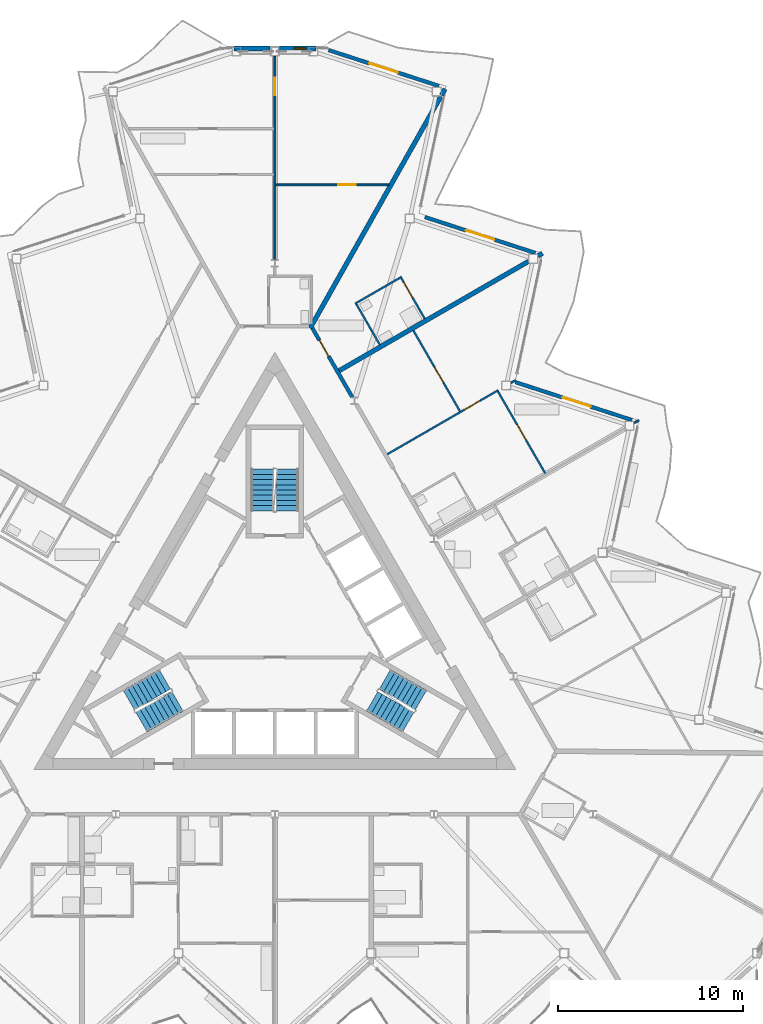
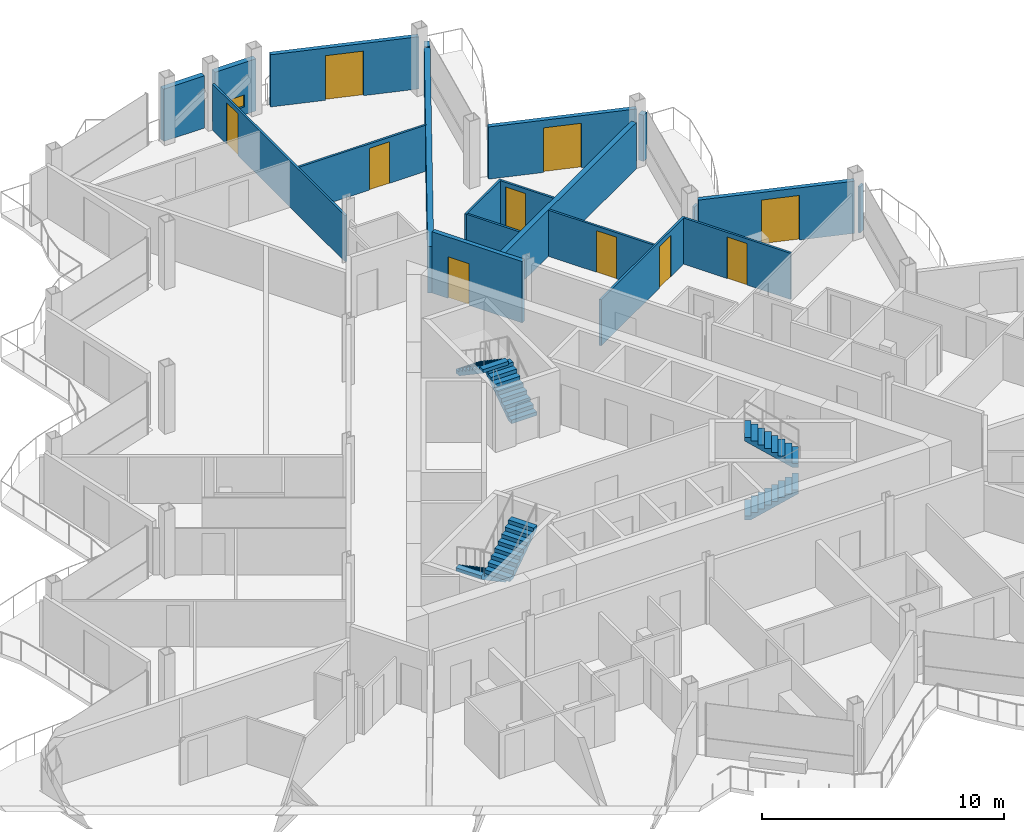
# One storey, part 18 of 26: 20 walls, 10 doors, 6 stair flights, 1 window, 11 openings, 3 elements without a shape of their own.
"""IFC4 building model written with IfcOpenShell, lengths in metres."""

from ifc_helpers import new_model, si_unit, direction, frame, frame_2d, origin, place, context, subcontext, project, spatial, polyline, rectangle, outline, extrude, material, layer, layer_set, type_object, element, fill, aggregate, save


model = new_model("IFC4")

# Units and contexts
model_context = context("Model", 3, precision=1e-05, world=origin(), true_north=direction((0.0, 1.0)))
body_context = subcontext(model_context, "Body", "Model", "MODEL_VIEW")
ifc_project = project(units=[si_unit("LENGTHUNIT", "METRE"), si_unit("AREAUNIT", "SQUARE_METRE"), si_unit("VOLUMEUNIT", "CUBIC_METRE"), si_unit("PLANEANGLEUNIT", "RADIAN"), si_unit("MASSUNIT", "GRAM", prefix="KILO")], contexts=[model_context])

# Site, building, storey
site_placement = place(None, origin())
site = spatial("IfcSite", under=ifc_project, at=site_placement, CompositionType="ELEMENT")
building_placement = place(site_placement, origin())
building = spatial("IfcBuilding", under=site, at=building_placement, Name="Cormorant Prow Tower", CompositionType="ELEMENT")
storey_placement = place(building_placement, frame((0.0, 0.0, 374.60009765625)))
storey = spatial("IfcBuildingStorey", under=building, at=storey_placement, Name="L84", CompositionType="ELEMENT", Elevation=374.60009765625)

# Wall, opening, door
ifc_material_1 = material(Name="Gypsum board corridor wall")
ifc_layer_1 = layer(ifc_material_1, 0.199951171875)
ifc_layer_set_1 = layer_set([ifc_layer_1], Name="Gypsum board corridor wall")
wall_type_1 = type_object("IfcWallType", Name="Corridor wall 200", PredefinedType="PARTITIONING", material=ifc_layer_set_1)
wall_1_placement = place(storey_placement, frame((2.025390625, 16.302978515625, 0.0), z_axis=(0.0, 0.0, 1.0), x_axis=(0.500004215162, -0.866022970146, 0.0)))
wall_1 = element("IfcWall", 1, at=wall_1_placement, inside=storey, type_object=wall_type_1, Name="Corridor wall", PredefinedType="PARTITIONING", context=body_context, shape_type="SweptSolid", body=[
    extrude(rectangle(XDim=4.30029296875, YDim=0.199951171875, at=frame_2d((2.150146484375, 0.0))), origin(), (0.0, 0.0, 1.0), 3.099853515625),
])
opening_1_placement = place(wall_1_placement, frame((0.75, 0.0, 0.0)))
opening_1 = element("IfcOpeningElement", 2, at=opening_1_placement, cuts=wall_1, Name="Opening L84-F35", PredefinedType="OPENING", context=body_context, shape_type="SweptSolid", body=[
    extrude(rectangle(XDim=1.0, YDim=2.10009765625, at=frame_2d((0.5, 1.050048828125))), frame((0.0, 0.10986328125, 0.0), z_axis=(0.0, -1.0, 0.0), x_axis=(1.0, 0.0, 0.0)), (0.0, 0.0, 1.0), 0.219970703125),
])
ifc_material_2 = material(Name="Timber door leaf", Category="wood")
door_type_1 = type_object("IfcDoorType", Name="Flat or room entrance door 1000x2100", OperationType="NOTDEFINED", PredefinedType="DOOR", material=ifc_material_2)
door_1_placement = place(opening_1_placement, origin())
door_1 = element("IfcDoor", 3, at=door_1_placement, inside=storey, type_object=door_type_1, Name="Studio living, kitchen and sleeping room door", OperationType="SINGLE_SWING_LEFT", OverallHeight=2.10009765625, OverallWidth=1.0, PredefinedType="DOOR", context=body_context, shape_type="SweptSolid", body=[
    extrude(rectangle(XDim=1.0, YDim=2.10009765625, at=frame_2d((0.5, 1.050048828125))), frame((0.0, 0.02490234375, 0.0), z_axis=(0.0, -1.0, 0.0), x_axis=(1.0, 0.0, 0.0)), (0.0, 0.0, 1.0), 0.050048828125),
])
fill(opening_1, door_1)

ifc_material_3 = material(Name="Gypsum board partition")
ifc_layer_2 = layer(ifc_material_3, 0.10009765625)
ifc_layer_set_2 = layer_set([ifc_layer_2], Name="Gypsum board partition")
wall_type_2 = type_object("IfcWallType", Name="Internal partition 100", PredefinedType="PARTITIONING", material=ifc_layer_set_2)
wall_2_placement = place(storey_placement, frame((0.0, 20.008056640625, 0.0), z_axis=(0.0, 0.0, 1.0), x_axis=(0.0, 1.0, 0.0)))
wall_2 = element("IfcWall", 4, at=wall_2_placement, inside=storey, type_object=wall_type_2, Name="Internal partition", PredefinedType="PARTITIONING", context=body_context, shape_type="SweptSolid", body=[
    extrude(rectangle(XDim=10.951416015625, YDim=0.10009765625, at=frame_2d((5.4755859375, 0.0))), origin(), (0.0, 0.0, 1.0), 2.330078125),
])
opening_2_placement = place(wall_2_placement, frame((8.851318359375, 0.0, 0.0)))
opening_2 = element("IfcOpeningElement", 5, at=opening_2_placement, cuts=wall_2, Name="Opening L84-F41", PredefinedType="OPENING", context=body_context, shape_type="SweptSolid", body=[
    extrude(rectangle(XDim=0.949951171875, YDim=2.10009765625, at=frame_2d((0.47509765625, 1.050048828125))), frame((0.0, 0.06005859375, 0.0), z_axis=(0.0, -1.0, 0.0), x_axis=(1.0, 0.0, 0.0)), (0.0, 0.0, 1.0), 0.1201171875),
])
ifc_material_4 = material(Name="Timber door leaf", Category="wood")
door_type_2 = type_object("IfcDoorType", Name="Bathroom door 950x2100", OperationType="NOTDEFINED", PredefinedType="DOOR", material=ifc_material_4)
door_2_placement = place(opening_2_placement, origin())
door_2 = element("IfcDoor", 6, at=door_2_placement, inside=storey, type_object=door_type_2, Name="Dining room door", OperationType="SINGLE_SWING_LEFT", OverallHeight=2.10009765625, OverallWidth=0.949951171875, PredefinedType="DOOR", context=body_context, shape_type="SweptSolid", body=[
    extrude(rectangle(XDim=0.949951171875, YDim=2.10009765625, at=frame_2d((0.47509765625, 1.050048828125))), frame((0.0, 0.02490234375, 0.0), z_axis=(0.0, -1.0, 0.0), x_axis=(1.0, 0.0, 0.0)), (0.0, 0.0, 1.0), 0.050048828125),
])
fill(opening_2, door_2)

wall_3_placement = place(storey_placement, frame((6.065185546875, 9.506103515625, 0.0), z_axis=(0.0, 0.0, 1.0), x_axis=(0.866029020252, 0.499993736042, 0.0)))
wall_3 = element("IfcWall", 7, at=wall_3_placement, inside=storey, type_object=wall_type_2, Name="Internal partition", PredefinedType="PARTITIONING", context=body_context, shape_type="SweptSolid", body=[
    extrude(rectangle(XDim=6.9072265625, YDim=0.10009765625, at=frame_2d((3.45361328125, 0.0))), origin(), (0.0, 0.0, 1.0), 2.330078125),
])
opening_3_placement = place(wall_3_placement, frame((4.7978515625, 0.0, 0.0)))
opening_3 = element("IfcOpeningElement", 8, at=opening_3_placement, cuts=wall_3, Name="Opening L84-F32", PredefinedType="OPENING", context=body_context, shape_type="SweptSolid", body=[
    extrude(rectangle(XDim=0.949951171875, YDim=2.10009765625, at=frame_2d((0.47509765625, 1.050048828125))), frame((0.0, 0.06005859375, 0.0), z_axis=(0.0, -1.0, 0.0), x_axis=(1.0, 0.0, 0.0)), (0.0, 0.0, 1.0), 0.1201171875),
])
door_3_placement = place(opening_3_placement, origin())
door_3 = element("IfcDoor", 9, at=door_3_placement, inside=storey, type_object=door_type_2, Name="Living room door", OperationType="SINGLE_SWING_LEFT", OverallHeight=2.10009765625, OverallWidth=0.949951171875, PredefinedType="DOOR", context=body_context, shape_type="SweptSolid", body=[
    extrude(rectangle(XDim=0.949951171875, YDim=2.10009765625, at=frame_2d((0.47509765625, 1.050048828125))), frame((0.0, 0.02490234375, 0.0), z_axis=(0.0, -1.0, 0.0), x_axis=(1.0, 0.0, 0.0)), (0.0, 0.0, 1.0), 0.050048828125),
])
fill(opening_3, door_3)

wall_4_placement = place(storey_placement, frame((0.050048828125, 24.03125, 0.0), z_axis=(0.0, 0.0, 1.0), x_axis=(1.0, 0.0, 0.0)))
wall_4 = element("IfcWall", 10, at=wall_4_placement, inside=storey, type_object=wall_type_2, Name="Internal partition", PredefinedType="PARTITIONING", context=body_context, shape_type="SweptSolid", body=[
    extrude(rectangle(XDim=6.085693359375, YDim=0.10009765625, at=frame_2d((3.04296875, 0.0))), origin(), (0.0, 0.0, 1.0), 2.330078125),
])
opening_4_placement = place(wall_4_placement, frame((3.3740234375, 0.0, 0.0)))
opening_4 = element("IfcOpeningElement", 11, at=opening_4_placement, cuts=wall_4, Name="Opening L84-F42", PredefinedType="OPENING", context=body_context, shape_type="SweptSolid", body=[
    extrude(rectangle(XDim=0.949951171875, YDim=2.10009765625, at=frame_2d((0.47509765625, 1.050048828125))), frame((0.0, 0.06005859375, 0.0), z_axis=(0.0, -1.0, 0.0), x_axis=(1.0, 0.0, 0.0)), (0.0, 0.0, 1.0), 0.1201171875),
])
door_4_placement = place(opening_4_placement, origin())
door_4 = element("IfcDoor", 12, at=door_4_placement, inside=storey, type_object=door_type_2, Name="Principal bedroom door", OperationType="SINGLE_SWING_LEFT", OverallHeight=2.10009765625, OverallWidth=0.949951171875, PredefinedType="DOOR", context=body_context, shape_type="SweptSolid", body=[
    extrude(rectangle(XDim=0.949951171875, YDim=2.10009765625, at=frame_2d((0.47509765625, 1.050048828125))), frame((0.0, 0.02490234375, 0.0), z_axis=(0.0, -1.0, 0.0), x_axis=(1.0, 0.0, 0.0)), (0.0, 0.0, 1.0), 0.050048828125),
])
fill(opening_4, door_4)

wall_5_placement = place(storey_placement, frame((7.4677734375, 16.176025390625, 0.0), z_axis=(0.0, 0.0, 1.0), x_axis=(0.499990214365, -0.86603105345, 0.0)))
wall_5 = element("IfcWall", 13, at=wall_5_placement, inside=storey, type_object=wall_type_2, Name="Internal partition", PredefinedType="PARTITIONING", context=body_context, shape_type="SweptSolid", body=[
    extrude(rectangle(XDim=5.02490234375, YDim=0.10009765625, at=frame_2d((2.512451171875, 0.0))), origin(), (0.0, 0.0, 1.0), 2.330078125),
])
opening_5_placement = place(wall_5_placement, frame((2.29296875, 0.0, 0.0)))
opening_5 = element("IfcOpeningElement", 14, at=opening_5_placement, cuts=wall_5, Name="Opening L84-F33", PredefinedType="OPENING", context=body_context, shape_type="SweptSolid", body=[
    extrude(rectangle(XDim=0.949951171875, YDim=2.10009765625, at=frame_2d((0.47509765625, 1.050048828125))), frame((0.0, 0.06005859375, 0.0), z_axis=(0.0, -1.0, 0.0), x_axis=(1.0, 0.0, 0.0)), (0.0, 0.0, 1.0), 0.1201171875),
])
door_5_placement = place(opening_5_placement, origin())
door_5 = element("IfcDoor", 15, at=door_5_placement, inside=storey, type_object=door_type_2, Name="Bedroom door", OperationType="SINGLE_SWING_RIGHT", OverallHeight=2.10009765625, OverallWidth=0.949951171875, PredefinedType="DOOR", context=body_context, shape_type="SweptSolid", body=[
    extrude(rectangle(XDim=0.949951171875, YDim=2.10009765625, at=frame_2d((0.47509765625, 1.050048828125))), frame((0.0, 0.02490234375, 0.0), z_axis=(0.0, -1.0, 0.0), x_axis=(1.0, 0.0, 0.0)), (0.0, 0.0, 1.0), 0.050048828125),
])
fill(opening_5, door_5)

wall_6_placement = place(storey_placement, frame((12.02880859375, 12.8916015625, 0.0), z_axis=(0.0, 0.0, 1.0), x_axis=(0.500005610874, -0.86602216432, 0.0)))
wall_6 = element("IfcWall", 16, at=wall_6_placement, inside=storey, type_object=wall_type_2, Name="Internal partition", PredefinedType="PARTITIONING", context=body_context, shape_type="SweptSolid", body=[
    extrude(rectangle(XDim=5.10009765625, YDim=0.10009765625, at=frame_2d((2.550048828125, 0.0))), origin(), (0.0, 0.0, 1.0), 2.330078125),
])
opening_6_placement = place(wall_6_placement, frame((2.074951171875, 0.0, 0.0)))
opening_6 = element("IfcOpeningElement", 17, at=opening_6_placement, cuts=wall_6, Name="Opening L84-F29", PredefinedType="OPENING", context=body_context, shape_type="SweptSolid", body=[
    extrude(rectangle(XDim=0.949951171875, YDim=2.10009765625, at=frame_2d((0.47509765625, 1.050048828125))), frame((0.0, 0.06005859375, 0.0), z_axis=(0.0, -1.0, 0.0), x_axis=(1.0, 0.0, 0.0)), (0.0, 0.0, 1.0), 0.1201171875),
])
door_6_placement = place(opening_6_placement, origin())
door_6 = element("IfcDoor", 18, at=door_6_placement, inside=storey, type_object=door_type_2, Name="Living room door", OperationType="SINGLE_SWING_LEFT", OverallHeight=2.10009765625, OverallWidth=0.949951171875, PredefinedType="DOOR", context=body_context, shape_type="SweptSolid", body=[
    extrude(rectangle(XDim=0.949951171875, YDim=2.10009765625, at=frame_2d((0.47509765625, 1.050048828125))), frame((0.0, 0.02490234375, 0.0), z_axis=(0.0, -1.0, 0.0), x_axis=(1.0, 0.0, 0.0)), (0.0, 0.0, 1.0), 0.050048828125),
])
fill(opening_6, door_6)

# Wall
wall_7_placement = place(storey_placement, frame((4.323486328125, 17.622802734375, 0.0), z_axis=(0.0, 0.0, 1.0), x_axis=(0.866032775405, 0.499987231761, 0.0)))
element("IfcWall", 19, at=wall_7_placement, inside=storey, type_object=wall_type_2, Name="Internal partition", PredefinedType="PARTITIONING", context=body_context, shape_type="SweptSolid", body=[
    extrude(rectangle(XDim=2.89990234375, YDim=0.10009765625, at=frame_2d((1.449951171875, 0.0))), origin(), (0.0, 0.0, 1.0), 2.330078125),
])

# Wall, opening, door
wall_8_placement = place(storey_placement, frame((6.816650390625, 19.00439453125, 0.0), z_axis=(0.0, 0.0, 1.0), x_axis=(0.499976333282, -0.866039067339, 0.0)))
wall_8 = element("IfcWall", 20, at=wall_8_placement, inside=storey, type_object=wall_type_2, Name="Internal partition", PredefinedType="PARTITIONING", context=body_context, shape_type="SweptSolid", body=[
    extrude(rectangle(XDim=2.52490234375, YDim=0.10009765625, at=frame_2d((1.262451171875, 0.0))), origin(), (0.0, 0.0, 1.0), 2.330078125),
])
opening_7_placement = place(wall_8_placement, frame((0.25, 0.0, 0.0)))
opening_7 = element("IfcOpeningElement", 21, at=opening_7_placement, cuts=wall_8, Name="Opening L84-F36", PredefinedType="OPENING", context=body_context, shape_type="SweptSolid", body=[
    extrude(rectangle(XDim=0.949951171875, YDim=2.10009765625, at=frame_2d((0.47509765625, 1.050048828125))), frame((0.0, 0.06005859375, 0.0), z_axis=(0.0, -1.0, 0.0), x_axis=(1.0, 0.0, 0.0)), (0.0, 0.0, 1.0), 0.1201171875),
])
door_7_placement = place(opening_7_placement, origin())
door_7 = element("IfcDoor", 22, at=door_7_placement, inside=storey, type_object=door_type_2, Name="Studio living, kitchen and sleeping room door", OperationType="SINGLE_SWING_LEFT", OverallHeight=2.10009765625, OverallWidth=0.949951171875, PredefinedType="DOOR", context=body_context, shape_type="SweptSolid", body=[
    extrude(rectangle(XDim=0.949951171875, YDim=2.10009765625, at=frame_2d((0.47509765625, 1.050048828125))), frame((0.0, 0.02490234375, 0.0), z_axis=(0.0, -1.0, 0.0), x_axis=(1.0, 0.0, 0.0)), (0.0, 0.0, 1.0), 0.050048828125),
])
fill(opening_7, door_7)

# Walls
wall_9_placement = place(storey_placement, frame((4.3916015625, 17.6044921875, 0.0), z_axis=(0.0, 0.0, 1.0), x_axis=(0.500048846702, -0.865997200291, 0.0)))
element("IfcWall", 23, at=wall_9_placement, inside=storey, type_object=wall_type_2, Name="Internal partition", PredefinedType="PARTITIONING", context=body_context, shape_type="SweptSolid", body=[
    extrude(rectangle(XDim=2.525146484375, YDim=0.10009765625, at=frame_2d((1.2626953125, 0.0))), origin(), (0.0, 0.0, 1.0), 2.330078125),
])
wall_10_placement = place(storey_placement, frame((12.73388671875, 13.356201171875, 0.0), z_axis=(0.0, 0.0, 1.0), x_axis=(0.865687176694, 0.50058536945, 0.0)))
element("IfcWall", 24, at=wall_10_placement, inside=storey, type_object=wall_type_2, Name="Internal partition", PredefinedType="PARTITIONING", context=body_context, shape_type="SweptSolid", body=[
    extrude(rectangle(XDim=0.277587890625, YDim=0.10009765625, at=frame_2d((0.138671875, 0.0))), origin(), (0.0, 0.0, 1.0), 2.330078125),
])
wall_11_placement = place(storey_placement, frame((19.388671875, 11.194091796875, 0.0), z_axis=(0.0, 0.0, 1.0), x_axis=(0.866068339032, 0.499925626596, 0.0)))
element("IfcWall", 25, at=wall_11_placement, inside=storey, type_object=wall_type_2, Name="Internal partition", PredefinedType="PARTITIONING", context=body_context, shape_type="SweptSolid", body=[
    extrude(rectangle(XDim=0.27734375, YDim=0.10009765625, at=frame_2d((0.138671875, 0.0))), origin(), (0.0, 0.0, 1.0), 2.330078125),
])
ifc_material_5 = material(Name="Acoustic gypsum party wall")
ifc_layer_3 = layer(ifc_material_5, 0.25)
ifc_layer_set_3 = layer_set([ifc_layer_3], Name="Acoustic gypsum party wall")
wall_type_3 = type_object("IfcWallType", Name="Suite party wall 250", PredefinedType="PARTITIONING", material=ifc_layer_set_3)
wall_12_placement = place(storey_placement, frame((1.901611328125, 16.302001953125, 0.0), z_axis=(0.0, 0.0, 1.0), x_axis=(0.491233789602, 0.871027763021, 0.0)))
element("IfcWall", 26, at=wall_12_placement, inside=storey, type_object=wall_type_3, Name="Suite party wall", PredefinedType="PARTITIONING", context=body_context, shape_type="SweptSolid", body=[
    extrude(rectangle(XDim=14.34521484375, YDim=0.25, at=frame_2d((7.172607421875, 0.0))), origin(), (0.0, 0.0, 1.0), 2.330078125),
])
wall_13_placement = place(storey_placement, frame((3.465087890625, 14.009521484375, 0.0), z_axis=(0.0, 0.0, 1.0), x_axis=(0.866032376801, 0.499987922186, 0.0)))
element("IfcWall", 27, at=wall_13_placement, inside=storey, type_object=wall_type_3, Name="Suite party wall", PredefinedType="PARTITIONING", context=body_context, shape_type="SweptSolid", body=[
    extrude(rectangle(XDim=11.781982421875, YDim=0.25, at=frame_2d((5.89111328125, 0.0))), origin(), (0.0, 0.0, 1.0), 2.330078125),
])
wall_14_placement = place(storey_placement, frame((8.988525390625, 28.8681640625, 0.0), z_axis=(0.0, 0.0, 1.0), x_axis=(0.491394522511, 0.870937094885, 0.0)))
element("IfcWall", 28, at=wall_14_placement, inside=storey, type_object=wall_type_3, Name="Suite party wall", PredefinedType="PARTITIONING", context=body_context, shape_type="SweptSolid", body=[
    extrude(rectangle(XDim=0.388427734375, YDim=0.25, at=frame_2d((0.1943359375, 0.0))), origin(), (0.0, 0.0, 1.0), 2.330078125),
])
wall_15_placement = place(storey_placement, frame((14.188720703125, 20.20068359375, 0.0), z_axis=(0.0, 0.0, 1.0), x_axis=(0.865687176694, 0.50058536945, 0.0)))
element("IfcWall", 29, at=wall_15_placement, inside=storey, type_object=wall_type_3, Name="Suite party wall", PredefinedType="PARTITIONING", context=body_context, shape_type="SweptSolid", body=[
    extrude(rectangle(XDim=0.277587890625, YDim=0.25, at=frame_2d((0.138671875, 0.0))), origin(), (0.0, 0.0, 1.0), 2.330078125),
])

# Wall, opening, window
ifc_material_6 = material(Name="Terracotta", Category="masonry")
ifc_layer_4 = layer(ifc_material_6, 0.25)
ifc_layer_set_4 = layer_set([ifc_layer_4], Name="Terracotta")
wall_type_4 = type_object("IfcWallType", Name="Terracotta bay wall 250", PredefinedType="SOLIDWALL", material=ifc_layer_set_4)
wall_16_placement = place(storey_placement, frame((2.208251953125, 31.38330078125, 0.0), z_axis=(0.0, 0.0, 1.0), x_axis=(-1.0, 0.0, 0.0)))
wall_16 = element("IfcWall", 30, at=wall_16_placement, inside=storey, type_object=wall_type_4, Name="Terracotta bay wall N00", PredefinedType="SOLIDWALL", context=body_context, shape_type="SweptSolid", body=[
    extrude(rectangle(XDim=1.958251953125, YDim=0.25, at=frame_2d((0.97900390625, 0.0))), origin(), (0.0, 0.0, 1.0), 2.6337890625),
])
opening_8_placement = place(wall_16_placement, frame((0.550048828125, 0.0, 0.39990234375)))
opening_8 = element("IfcOpeningElement", 31, at=opening_8_placement, cuts=wall_16, Name="Opening WN10", PredefinedType="OPENING", context=body_context, shape_type="SweptSolid", body=[
    extrude(rectangle(XDim=0.60009765625, YDim=0.60009765625, at=frame_2d((0.300048828125, 0.300048828125))), frame((0.0, 0.135009765625, 0.0), z_axis=(0.0, -1.0, 0.0), x_axis=(1.0, 0.0, 0.0)), (0.0, 0.0, 1.0), 0.27001953125),
])
ifc_material_7 = material(Name="Aluminium 6063-T6", Category="aluminium")
window_type = type_object("IfcWindowType", Name="Corner bay window 600x600", PartitioningType="SINGLE_PANEL", PredefinedType="WINDOW", material=ifc_material_7)
window_placement = place(opening_8_placement, origin())
window = element("IfcWindow", 32, at=window_placement, inside=storey, type_object=window_type, Name="Corner bay window N00", OverallHeight=0.60009765625, OverallWidth=0.60009765625, PartitioningType="SINGLE_PANEL", PredefinedType="WINDOW", context=body_context, shape_type="SweptSolid", body=[
    extrude(rectangle(XDim=0.60009765625, YDim=0.60009765625, at=frame_2d((0.300048828125, 0.300048828125))), frame((0.0, 0.030029296875, 0.0), z_axis=(0.0, -1.0, 0.0), x_axis=(1.0, 0.0, 0.0)), (0.0, 0.0, 1.0), 0.06005859375),
])
fill(opening_8, window)

# Wall
wall_17_placement = place(storey_placement, frame((-0.25, 31.38330078125, 0.0), z_axis=(0.0, 0.0, 1.0), x_axis=(-1.0, 0.0, 0.0)))
element("IfcWall", 33, at=wall_17_placement, inside=storey, type_object=wall_type_4, Name="Terracotta bay wall N01", PredefinedType="SOLIDWALL", context=body_context, shape_type="SweptSolid", body=[
    extrude(rectangle(XDim=1.958251953125, YDim=0.25, at=frame_2d((0.97900390625, 0.0))), origin(), (0.0, 0.0, 1.0), 2.6337890625),
])

# Wall, opening, door
ifc_material_8 = material(Name="Terracotta", Category="masonry")
ifc_layer_5 = layer(ifc_material_8, 0.199951171875)
ifc_layer_set_5 = layer_set([ifc_layer_5], Name="Terracotta")
wall_type_5 = type_object("IfcWallType", Name="Terracotta jamb wall 200", PredefinedType="SOLIDWALL", material=ifc_layer_set_5)
wall_18_placement = place(storey_placement, frame((19.25, 11.350830078125, 0.0), z_axis=(0.0, 0.0, 1.0), x_axis=(-0.951060668786, 0.309004214029, 0.0)))
wall_18 = element("IfcWall", 34, at=wall_18_placement, inside=storey, type_object=wall_type_5, Name="Terracotta jamb wall ENE05", PredefinedType="SOLIDWALL", context=body_context, shape_type="SweptSolid", body=[
    extrude(rectangle(XDim=6.609130859375, YDim=0.199951171875, at=frame_2d((3.3046875, 0.0))), origin(), (0.0, 0.0, 1.0), 2.6337890625),
])
opening_9_placement = place(wall_18_placement, frame((2.332763671875, 0.0, 0.0)))
opening_9 = element("IfcOpeningElement", 35, at=opening_9_placement, cuts=wall_18, Name="Opening ED84.08", PredefinedType="OPENING", context=body_context, shape_type="SweptSolid", body=[
    extrude(rectangle(XDim=1.60009765625, YDim=2.25, at=frame_2d((0.800048828125, 1.125))), frame((0.0, 0.10986328125, 0.0), z_axis=(0.0, -1.0, 0.0), x_axis=(1.0, 0.0, 0.0)), (0.0, 0.0, 1.0), 0.219970703125),
])
ifc_material_9 = material(Name="Aluminium 6063-T6", Category="aluminium")
door_type_3 = type_object("IfcDoorType", Name="Balcony door 1600x2250", OperationType="DOUBLE_DOOR_SINGLE_SWING", PredefinedType="DOOR", material=ifc_material_9)
door_8_placement = place(opening_9_placement, origin())
door_8 = element("IfcDoor", 36, at=door_8_placement, inside=storey, type_object=door_type_3, Name="Balcony door ENE05 ED84.08", OperationType="DOUBLE_DOOR_SINGLE_SWING", OverallHeight=2.25, OverallWidth=1.60009765625, PredefinedType="DOOR", context=body_context, shape_type="SweptSolid", body=[
    extrude(rectangle(XDim=1.60009765625, YDim=2.25, at=frame_2d((0.800048828125, 1.125))), frame((0.0, 0.02490234375, 0.0), z_axis=(0.0, -1.0, 0.0), x_axis=(1.0, 0.0, 0.0)), (0.0, 0.0, 1.0), 0.050048828125),
])
fill(opening_9, door_8)

wall_19_placement = place(storey_placement, frame((14.050048828125, 20.357421875, 0.0), z_axis=(0.0, 0.0, 1.0), x_axis=(-0.951060123915, 0.309005891041, 0.0)))
wall_19 = element("IfcWall", 37, at=wall_19_placement, inside=storey, type_object=wall_type_5, Name="Terracotta jamb wall ENE07", PredefinedType="SOLIDWALL", context=body_context, shape_type="SweptSolid", body=[
    extrude(rectangle(XDim=6.265380859375, YDim=0.199951171875, at=frame_2d((3.1328125, 0.0))), origin(), (0.0, 0.0, 1.0), 2.6337890625),
])
opening_10_placement = place(wall_19_placement, frame((2.332763671875, 0.0, 0.0)))
opening_10 = element("IfcOpeningElement", 38, at=opening_10_placement, cuts=wall_19, Name="Opening ED84.09", PredefinedType="OPENING", context=body_context, shape_type="SweptSolid", body=[
    extrude(rectangle(XDim=1.60009765625, YDim=2.25, at=frame_2d((0.800048828125, 1.125))), frame((0.0, 0.10986328125, 0.0), z_axis=(0.0, -1.0, 0.0), x_axis=(1.0, 0.0, 0.0)), (0.0, 0.0, 1.0), 0.219970703125),
])
door_9_placement = place(opening_10_placement, origin())
door_9 = element("IfcDoor", 39, at=door_9_placement, inside=storey, type_object=door_type_3, Name="Balcony door ENE07 ED84.09", OperationType="DOUBLE_DOOR_SINGLE_SWING", OverallHeight=2.25, OverallWidth=1.60009765625, PredefinedType="DOOR", context=body_context, shape_type="SweptSolid", body=[
    extrude(rectangle(XDim=1.60009765625, YDim=2.25, at=frame_2d((0.800048828125, 1.125))), frame((0.0, 0.02490234375, 0.0), z_axis=(0.0, -1.0, 0.0), x_axis=(1.0, 0.0, 0.0)), (0.0, 0.0, 1.0), 0.050048828125),
])
fill(opening_10, door_9)

wall_20_placement = place(storey_placement, frame((8.85009765625, 29.364013671875, 0.0), z_axis=(0.0, 0.0, 1.0), x_axis=(-0.951048671744, 0.309041136379, 0.0)))
wall_20 = element("IfcWall", 40, at=wall_20_placement, inside=storey, type_object=wall_type_5, Name="Terracotta jamb wall ENE09", PredefinedType="SOLIDWALL", context=body_context, shape_type="SweptSolid", body=[
    extrude(rectangle(XDim=6.265380859375, YDim=0.199951171875, at=frame_2d((3.1328125, 0.0))), origin(), (0.0, 0.0, 1.0), 2.6337890625),
])
opening_11_placement = place(wall_20_placement, frame((2.332763671875, 0.0, 0.0)))
opening_11 = element("IfcOpeningElement", 41, at=opening_11_placement, cuts=wall_20, Name="Opening ED84.10", PredefinedType="OPENING", context=body_context, shape_type="SweptSolid", body=[
    extrude(rectangle(XDim=1.60009765625, YDim=2.25, at=frame_2d((0.800048828125, 1.125))), frame((0.0, 0.10986328125, 0.0), z_axis=(0.0, -1.0, 0.0), x_axis=(1.0, 0.0, 0.0)), (0.0, 0.0, 1.0), 0.219970703125),
])
door_10_placement = place(opening_11_placement, origin())
door_10 = element("IfcDoor", 42, at=door_10_placement, inside=storey, type_object=door_type_3, Name="Balcony door ENE09 ED84.10", OperationType="DOUBLE_DOOR_SINGLE_SWING", OverallHeight=2.25, OverallWidth=1.60009765625, PredefinedType="DOOR", context=body_context, shape_type="SweptSolid", body=[
    extrude(rectangle(XDim=1.60009765625, YDim=2.25, at=frame_2d((0.800048828125, 1.125))), frame((0.0, 0.02490234375, 0.0), z_axis=(0.0, -1.0, 0.0), x_axis=(1.0, 0.0, 0.0)), (0.0, 0.0, 1.0), 0.050048828125),
])
fill(opening_11, door_10)

# Stair, stair flights
ifc_material_10 = material(Name="Exit stair 18 risers")
stair_type = type_object("IfcStairType", Name="Exit stair 18 risers", PredefinedType="HALF_TURN_STAIR", material=ifc_material_10)
stair_1_placement = place(storey_placement, origin())
stair_1 = element("IfcStair", 43, at=stair_1_placement, inside=storey, type_object=stair_type, Name="L84 Exit stair ST1", PredefinedType="HALF_TURN_STAIR")
ifc_material_11 = material(Name="Concrete 5000 psi", Category="concrete")
stair_flight_type = type_object("IfcStairFlightType", Name="Stair flight 1219", PredefinedType="STRAIGHT", material=ifc_material_11)
stair_flight_1_placement = place(storey_placement, frame((-5.93310546875, -2.635009765625, 0.0), z_axis=(0.0, 0.0, 1.0), x_axis=(-0.866025403784, -0.5, 0.0)))
stair_flight_1 = element("IfcStairFlight", 44, at=stair_flight_1_placement, type_object=stair_flight_type, Name="ST1 flight 1", NumberOfRisers=9, NumberOfTreads=8, PredefinedType="STRAIGHT", RiserHeight=0.188888889, TreadLength=0.28, context=body_context, shape_type="SweptSolid", body=[
    extrude(outline(polyline([(0.0, 0.0), (0.0, 0.18896484375), (0.280029296875, 0.18896484375), (0.280029296875, 0.377685546875), (0.56005859375, 0.377685546875), (0.56005859375, 0.566650390625), (0.840087890625, 0.566650390625), (0.840087890625, 0.755615234375), (1.1201171875, 0.755615234375), (1.1201171875, 0.9443359375), (1.39990234375, 0.9443359375), (1.39990234375, 1.13330078125), (1.679931640625, 1.13330078125), (1.679931640625, 1.322265625), (1.9599609375, 1.322265625), (1.9599609375, 1.51123046875), (2.239990234375, 1.51123046875), (2.239990234375, 1.699951171875), (2.239990234375, 1.330322265625), (0.26806640625, 0.0), (0.0, 0.0)])), frame((0.0, 0.609375, 0.0), z_axis=(0.0, -1.0, 0.0), x_axis=(1.0, 0.0, 0.0)), (0.0, 0.0, 1.0), 1.218994140625),
])
stair_flight_2_placement = place(storey_placement, frame((-7.1884765625, -4.940673828125, 1.699951171875), z_axis=(0.0, 0.0, 1.0), x_axis=(0.866025403784, 0.5, 0.0)))
stair_flight_2 = element("IfcStairFlight", 45, at=stair_flight_2_placement, type_object=stair_flight_type, Name="ST1 flight 2", NumberOfRisers=9, NumberOfTreads=8, PredefinedType="STRAIGHT", RiserHeight=0.188888889, TreadLength=0.28, context=body_context, shape_type="SweptSolid", body=[
    extrude(outline(polyline([(0.0, 0.0), (0.0, 0.18896484375), (0.280029296875, 0.18896484375), (0.280029296875, 0.377685546875), (0.56005859375, 0.377685546875), (0.56005859375, 0.566650390625), (0.840087890625, 0.566650390625), (0.840087890625, 0.755615234375), (1.1201171875, 0.755615234375), (1.1201171875, 0.9443359375), (1.39990234375, 0.9443359375), (1.39990234375, 1.13330078125), (1.679931640625, 1.13330078125), (1.679931640625, 1.322265625), (1.9599609375, 1.322265625), (1.9599609375, 1.51123046875), (2.239990234375, 1.51123046875), (2.239990234375, 1.699951171875), (2.239990234375, 1.330322265625), (0.26806640625, 0.0), (0.0, 0.0)])), frame((0.0, 0.609375, 0.0), z_axis=(0.0, -1.0, 0.0), x_axis=(1.0, 0.0, 0.0)), (0.0, 0.0, 1.0), 1.218994140625),
])
aggregate(stair_1, [stair_flight_1, stair_flight_2])

stair_2_placement = place(storey_placement, origin())
stair_2 = element("IfcStair", 46, at=stair_2_placement, inside=storey, type_object=stair_type, Name="L84 Exit stair ST2", PredefinedType="HALF_TURN_STAIR")
stair_flight_3_placement = place(storey_placement, frame((5.24853515625, -3.82080078125, 0.0), z_axis=(0.0, 0.0, 1.0), x_axis=(0.866025403784, -0.5, 0.0)))
stair_flight_3 = element("IfcStairFlight", 47, at=stair_flight_3_placement, type_object=stair_flight_type, Name="ST2 flight 1", NumberOfRisers=9, NumberOfTreads=8, PredefinedType="STRAIGHT", RiserHeight=0.188888889, TreadLength=0.28, context=body_context, shape_type="SweptSolid", body=[
    extrude(outline(polyline([(0.0, 0.0), (0.0, 0.18896484375), (0.280029296875, 0.18896484375), (0.280029296875, 0.377685546875), (0.56005859375, 0.377685546875), (0.56005859375, 0.566650390625), (0.840087890625, 0.566650390625), (0.840087890625, 0.755615234375), (1.1201171875, 0.755615234375), (1.1201171875, 0.9443359375), (1.39990234375, 0.9443359375), (1.39990234375, 1.13330078125), (1.679931640625, 1.13330078125), (1.679931640625, 1.322265625), (1.9599609375, 1.322265625), (1.9599609375, 1.51123046875), (2.239990234375, 1.51123046875), (2.239990234375, 1.699951171875), (2.239990234375, 1.330322265625), (0.26806640625, 0.0), (0.0, 0.0)])), frame((0.0, 0.609375, 0.0), z_axis=(0.0, -1.0, 0.0), x_axis=(1.0, 0.0, 0.0)), (0.0, 0.0, 1.0), 1.218994140625),
])
stair_flight_4_placement = place(storey_placement, frame((7.873046875, -3.755126953125, 1.699951171875), z_axis=(0.0, 0.0, 1.0), x_axis=(-0.866025403784, 0.5, 0.0)))
stair_flight_4 = element("IfcStairFlight", 48, at=stair_flight_4_placement, type_object=stair_flight_type, Name="ST2 flight 2", NumberOfRisers=9, NumberOfTreads=8, PredefinedType="STRAIGHT", RiserHeight=0.188888889, TreadLength=0.28, context=body_context, shape_type="SweptSolid", body=[
    extrude(outline(polyline([(0.0, 0.0), (0.0, 0.18896484375), (0.280029296875, 0.18896484375), (0.280029296875, 0.377685546875), (0.56005859375, 0.377685546875), (0.56005859375, 0.566650390625), (0.840087890625, 0.566650390625), (0.840087890625, 0.755615234375), (1.1201171875, 0.755615234375), (1.1201171875, 0.9443359375), (1.39990234375, 0.9443359375), (1.39990234375, 1.13330078125), (1.679931640625, 1.13330078125), (1.679931640625, 1.322265625), (1.9599609375, 1.322265625), (1.9599609375, 1.51123046875), (2.239990234375, 1.51123046875), (2.239990234375, 1.699951171875), (2.239990234375, 1.330322265625), (0.26806640625, 0.0), (0.0, 0.0)])), frame((0.0, 0.609375, 0.0), z_axis=(0.0, -1.0, 0.0), x_axis=(1.0, 0.0, 0.0)), (0.0, 0.0, 1.0), 1.218994140625),
])
aggregate(stair_2, [stair_flight_3, stair_flight_4])

stair_3_placement = place(storey_placement, origin())
stair_3 = element("IfcStair", 49, at=stair_3_placement, inside=storey, type_object=stair_type, Name="L84 Exit stair ST3", PredefinedType="HALF_TURN_STAIR")
stair_flight_5_placement = place(storey_placement, frame((0.6845703125, 6.455810546875, 0.0), z_axis=(0.0, 0.0, 1.0), x_axis=(0.0, 1.0, 0.0)))
stair_flight_5 = element("IfcStairFlight", 50, at=stair_flight_5_placement, type_object=stair_flight_type, Name="ST3 flight 1", NumberOfRisers=9, NumberOfTreads=8, PredefinedType="STRAIGHT", RiserHeight=0.188888889, TreadLength=0.28, context=body_context, shape_type="SweptSolid", body=[
    extrude(outline(polyline([(0.0, 0.0), (0.0, 0.18896484375), (0.280029296875, 0.18896484375), (0.280029296875, 0.377685546875), (0.56005859375, 0.377685546875), (0.56005859375, 0.566650390625), (0.840087890625, 0.566650390625), (0.840087890625, 0.755615234375), (1.1201171875, 0.755615234375), (1.1201171875, 0.9443359375), (1.39990234375, 0.9443359375), (1.39990234375, 1.13330078125), (1.679931640625, 1.13330078125), (1.679931640625, 1.322265625), (1.9599609375, 1.322265625), (1.9599609375, 1.51123046875), (2.239990234375, 1.51123046875), (2.239990234375, 1.699951171875), (2.239990234375, 1.330322265625), (0.26806640625, 0.0), (0.0, 0.0)])), frame((0.0, 0.609375, 0.0), z_axis=(0.0, -1.0, 0.0), x_axis=(1.0, 0.0, 0.0)), (0.0, 0.0, 1.0), 1.218994140625),
])
stair_flight_6_placement = place(storey_placement, frame((-0.6845703125, 8.69580078125, 1.699951171875), z_axis=(0.0, 0.0, 1.0), x_axis=(0.0, -1.0, 0.0)))
stair_flight_6 = element("IfcStairFlight", 51, at=stair_flight_6_placement, type_object=stair_flight_type, Name="ST3 flight 2", NumberOfRisers=9, NumberOfTreads=8, PredefinedType="STRAIGHT", RiserHeight=0.188888889, TreadLength=0.28, context=body_context, shape_type="SweptSolid", body=[
    extrude(outline(polyline([(0.0, 0.0), (0.0, 0.18896484375), (0.280029296875, 0.18896484375), (0.280029296875, 0.377685546875), (0.56005859375, 0.377685546875), (0.56005859375, 0.566650390625), (0.840087890625, 0.566650390625), (0.840087890625, 0.755615234375), (1.1201171875, 0.755615234375), (1.1201171875, 0.9443359375), (1.39990234375, 0.9443359375), (1.39990234375, 1.13330078125), (1.679931640625, 1.13330078125), (1.679931640625, 1.322265625), (1.9599609375, 1.322265625), (1.9599609375, 1.51123046875), (2.239990234375, 1.51123046875), (2.239990234375, 1.699951171875), (2.239990234375, 1.330322265625), (0.26806640625, 0.0), (0.0, 0.0)])), frame((0.0, 0.609375, 0.0), z_axis=(0.0, -1.0, 0.0), x_axis=(1.0, 0.0, 0.0)), (0.0, 0.0, 1.0), 1.218994140625),
])
aggregate(stair_3, [stair_flight_5, stair_flight_6])

save(model, "model.ifc")
